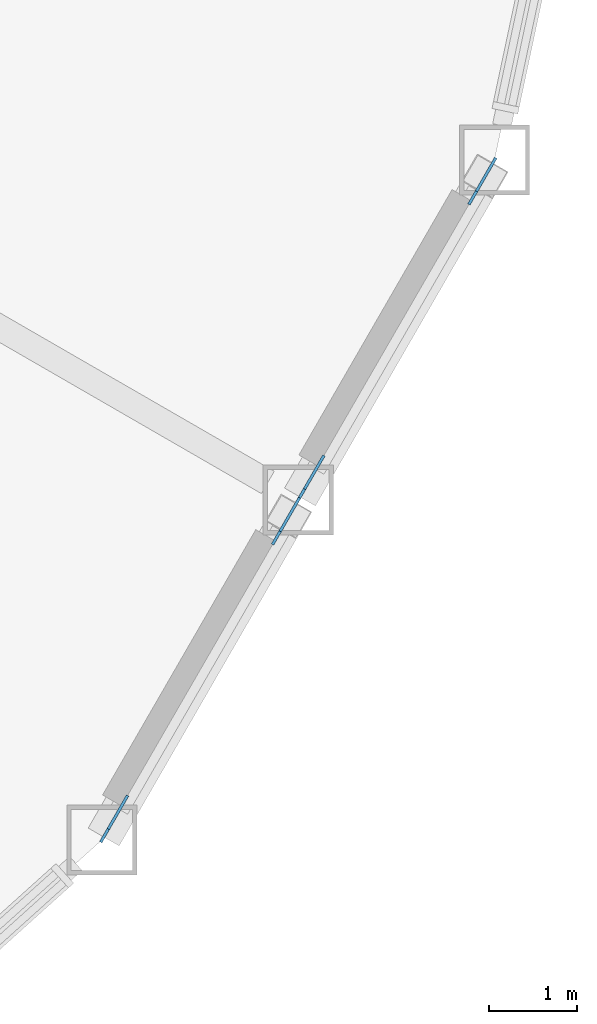
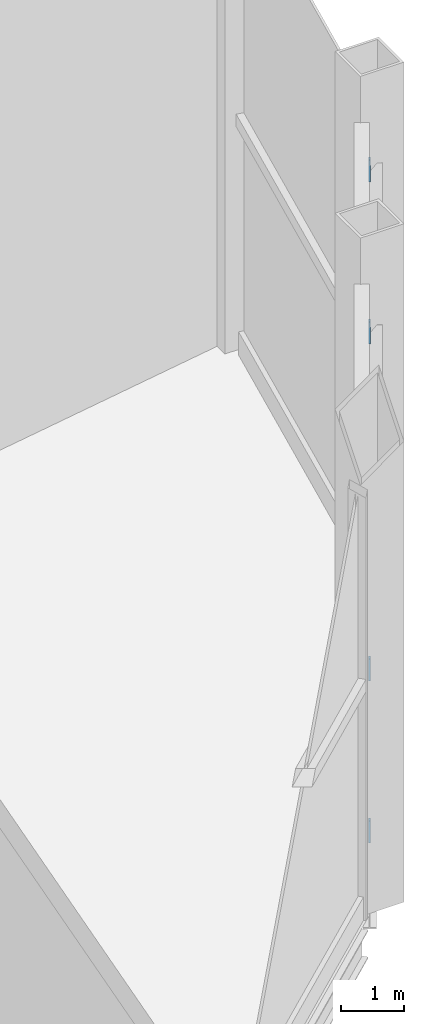
# One storey, part 13 of 18: 4 discrete accessories.
"""IFC4 building model written with IfcOpenShell, lengths in metres."""

from ifc_helpers import new_model, si_unit, direction, frame, origin, origin_2d, place, context, subcontext, project, spatial, rectangle, extrude, material, material_profile, profile_set, type_object, element, save


model = new_model("IFC4")

# Units and contexts
model_context = context("Model", 3, precision=1e-05, world=origin(), true_north=direction((0.0, 1.0)))
body_context = subcontext(model_context, "Body", "Model", "MODEL_VIEW")
ifc_project = project(units=[si_unit("LENGTHUNIT", "METRE"), si_unit("AREAUNIT", "SQUARE_METRE"), si_unit("VOLUMEUNIT", "CUBIC_METRE"), si_unit("PLANEANGLEUNIT", "RADIAN"), si_unit("MASSUNIT", "GRAM", prefix="KILO")], contexts=[model_context])

# Site, building, storey
site_placement = place(None, origin())
site = spatial("IfcSite", under=ifc_project, at=site_placement, CompositionType="ELEMENT")
building_placement = place(site_placement, origin())
building = spatial("IfcBuilding", under=site, at=building_placement, Name="Cormorant Prow Tower", CompositionType="ELEMENT")
storey_placement = place(building_placement, frame((0.0, 0.0, 216.0)))
storey = spatial("IfcBuildingStorey", under=building, at=storey_placement, Name="L48", CompositionType="ELEMENT", Elevation=216.0)

# Discrete accessories
ifc_material = material(Name="Structural steel ASTM A500 Gr C", Category="steel")
ifc_material_profile = material_profile(ifc_material, rectangle(XDim=0.031982421875, YDim=0.506103515625, at=origin_2d()), Name="Gusset plate 32x506")
ifc_profile_set = profile_set([ifc_material_profile], Name="Structural steel ASTM A500 Gr C")
discrete_accessory_type = type_object("IfcDiscreteAccessoryType", Name="Gusset plate 32x506", PredefinedType="BRACKET", material=ifc_profile_set)
discrete_accessory_1_placement = place(storey_placement, frame((26.005859375, -19.755615234375, 1.244140625), z_axis=(-0.246146560371, -0.426747011181, -0.870229199272), x_axis=(0.866232710263, -0.499640762619, 0.0)))
element("IfcDiscreteAccessory", 1, at=discrete_accessory_1_placement, inside=storey, type_object=discrete_accessory_type, Name="Gusset plate GP2 L48.ESE00.g0", PredefinedType="BRACKET", context=body_context, shape_type="SweptSolid", body=[
    extrude(rectangle(XDim=0.031982421875, YDim=0.506103515625, at=origin_2d()), origin(), (0.0, 0.0, 1.0), 0.35009765625),
])
discrete_accessory_2_placement = place(storey_placement, frame((27.876708984375, -16.515380859375, 7.85693359375), z_axis=(0.246296000702, 0.427006097534, 0.870059809845), x_axis=(-0.866232710263, 0.499640762619, 0.0)))
element("IfcDiscreteAccessory", 2, at=discrete_accessory_2_placement, inside=storey, type_object=discrete_accessory_type, Name="Gusset plate GP2 L48.ESE00.g1", PredefinedType="BRACKET", context=body_context, shape_type="SweptSolid", body=[
    extrude(rectangle(XDim=0.031982421875, YDim=0.506103515625, at=origin_2d()), origin(), (0.0, 0.0, 1.0), 0.349853515625),
])
discrete_accessory_3_placement = place(storey_placement, frame((28.240966796875, -15.88427734375, 1.244140625), z_axis=(-0.246219779087, -0.426176444822, -0.870488057509), x_axis=(0.865878714501, -0.500253987265, 0.0)))
element("IfcDiscreteAccessory", 3, at=discrete_accessory_3_placement, inside=storey, type_object=discrete_accessory_type, Name="Gusset plate GP2 L48.ESE01.g0", PredefinedType="BRACKET", context=body_context, shape_type="SweptSolid", body=[
    extrude(rectangle(XDim=0.031982421875, YDim=0.506103515625, at=origin_2d()), origin(), (0.0, 0.0, 1.0), 0.35009765625),
])
discrete_accessory_4_placement = place(storey_placement, frame((30.11181640625, -12.643798828125, 7.85693359375), z_axis=(0.246369352896, 0.426435338865, 0.870318932185), x_axis=(-0.865878714501, 0.500253987265, 0.0)))
element("IfcDiscreteAccessory", 4, at=discrete_accessory_4_placement, inside=storey, type_object=discrete_accessory_type, Name="Gusset plate GP2 L48.ESE01.g1", PredefinedType="BRACKET", context=body_context, shape_type="SweptSolid", body=[
    extrude(rectangle(XDim=0.031982421875, YDim=0.506103515625, at=origin_2d()), origin(), (0.0, 0.0, 1.0), 0.349853515625),
])

save(model, "model.ifc")
